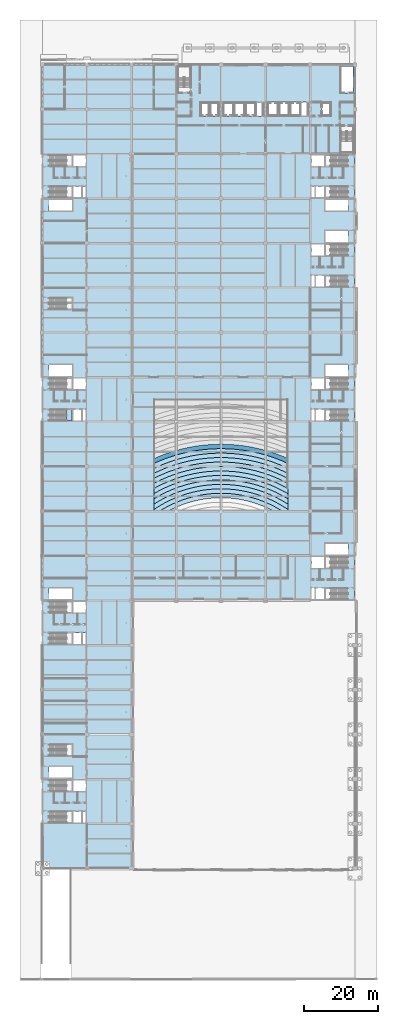
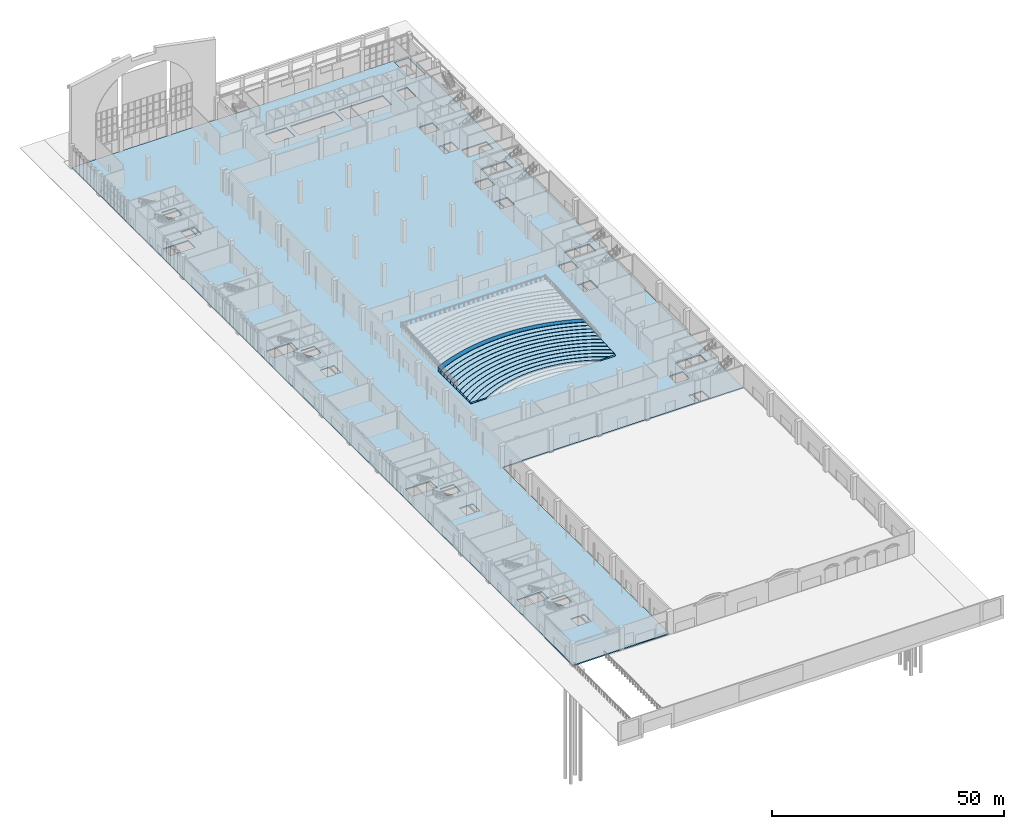
# One storey, part 26 of 59: 14 slabs, 1 element without a shape of its own.
"""IFC4 building model written with IfcOpenShell, lengths in metres."""

from ifc_helpers import new_model, si_unit, direction, frame, origin, place, context, subcontext, project, spatial, polyline, outline, extrude, material, layer, layer_set, type_object, element, aggregate, save


model = new_model("IFC4")

# Units and contexts
model_context = context("Model", 3, precision=1e-05, world=origin(), true_north=direction((0.0, 1.0)))
body_context = subcontext(model_context, "Body", "Model", "MODEL_VIEW")
ifc_project = project(units=[si_unit("LENGTHUNIT", "METRE"), si_unit("AREAUNIT", "SQUARE_METRE"), si_unit("VOLUMEUNIT", "CUBIC_METRE"), si_unit("PLANEANGLEUNIT", "RADIAN"), si_unit("MASSUNIT", "GRAM", prefix="KILO")], contexts=[model_context])

# Site, building, storey
site_placement = place(None, origin())
site = spatial("IfcSite", under=ifc_project, at=site_placement, CompositionType="ELEMENT")
building_placement = place(site_placement, origin())
building = spatial("IfcBuilding", under=site, at=building_placement, Name="Lilac Gate Convention Centre", CompositionType="ELEMENT")
storey_placement = place(building_placement, origin())
storey = spatial("IfcBuildingStorey", under=building, at=storey_placement, Name="L00", CompositionType="ELEMENT", Elevation=0.0)

# Slabs
ifc_material = material(Name="Concrete C40", Category="concrete")
ifc_layer_1 = layer(ifc_material, 0.300048828125)
ifc_layer_set_1 = layer_set([ifc_layer_1], Name="Concrete C40")
slab_type_1 = type_object("IfcSlabType", Name="Floor slab 300 C40", PredefinedType="FLOOR", material=ifc_layer_set_1)
slab_1_placement = place(storey_placement, frame((0.0, 0.0, -0.300048828125)))
element("IfcSlab", 1, at=slab_1_placement, inside=storey, type_object=slab_type_1, Name="FS1 slab L00 1", PredefinedType="FLOOR", context=body_context, shape_type="SweptSolid", body=[
    extrude(outline(polyline([(6.0, 246.0), (90.0, 246.0), (90.0, 102.0), (30.0, 102.0), (30.0, 30.0), (6.0, 30.0), (6.0, 246.0)]), holes=[polyline([(16.5, 42.300048828125), (16.5, 45.300048828125), (14.300048828125, 45.300048828125), (14.300048828125, 42.300048828125), (16.5, 42.300048828125)]), polyline([(17.699951171875, 42.300048828125), (17.699951171875, 45.300048828125), (16.800048828125, 45.300048828125), (16.800048828125, 42.300048828125), (17.699951171875, 42.300048828125)]), polyline([(17.699951171875, 50.699951171875), (17.699951171875, 53.699951171875), (14.300048828125, 53.699951171875), (14.300048828125, 50.699951171875), (17.699951171875, 50.699951171875)]), polyline([(7.820068359375, 54.300048828125), (14.0, 54.300048828125), (14.0, 57.300048828125), (7.820068359375, 57.300048828125), (7.820068359375, 54.300048828125)]), polyline([(14.300048828125, 90.300048828125), (16.5, 90.300048828125), (16.5, 93.300048828125), (14.300048828125, 93.300048828125), (14.300048828125, 90.300048828125)]), polyline([(17.699951171875, 98.699951171875), (17.699951171875, 101.699951171875), (14.300048828125, 101.699951171875), (14.300048828125, 98.699951171875), (17.699951171875, 98.699951171875)]), polyline([(7.820068359375, 102.300048828125), (14.0, 102.300048828125), (14.0, 105.300048828125), (7.820068359375, 105.300048828125), (7.820068359375, 102.300048828125)]), polyline([(14.300048828125, 150.300048828125), (16.5, 150.300048828125), (16.5, 153.300048828125), (14.300048828125, 153.300048828125), (14.300048828125, 150.300048828125)]), polyline([(17.699951171875, 150.300048828125), (17.699951171875, 153.300048828125), (16.800048828125, 153.300048828125), (16.800048828125, 150.300048828125), (17.699951171875, 150.300048828125)]), polyline([(14.300048828125, 158.699951171875), (17.699951171875, 158.699951171875), (17.699951171875, 161.699951171875), (14.300048828125, 161.699951171875), (14.300048828125, 158.699951171875)]), polyline([(7.820068359375, 162.300048828125), (14.0, 162.300048828125), (14.0, 165.300048828125), (7.820068359375, 165.300048828125), (7.820068359375, 162.300048828125)]), polyline([(14.0, 206.699951171875), (14.0, 209.699951171875), (7.820068359375, 209.699951171875), (7.820068359375, 206.699951171875), (14.0, 206.699951171875)]), polyline([(16.5, 210.300048828125), (16.5, 213.300048828125), (14.300048828125, 213.300048828125), (14.300048828125, 210.300048828125), (16.5, 210.300048828125)]), polyline([(17.699951171875, 210.300048828125), (17.699951171875, 213.300048828125), (16.800048828125, 213.300048828125), (16.800048828125, 210.300048828125), (17.699951171875, 210.300048828125)]), polyline([(14.300048828125, 218.699951171875), (17.699951171875, 218.699951171875), (17.699951171875, 221.699951171875), (14.300048828125, 221.699951171875), (14.300048828125, 218.699951171875)]), polyline([(16.800048828125, 90.300048828125), (17.699951171875, 90.300048828125), (17.699951171875, 93.300048828125), (16.800048828125, 93.300048828125), (16.800048828125, 90.300048828125)]), polyline([(79.199951171875, 102.300048828125), (79.199951171875, 105.300048828125), (78.300048828125, 105.300048828125), (78.300048828125, 102.300048828125), (79.199951171875, 102.300048828125)]), polyline([(78.300048828125, 150.300048828125), (79.199951171875, 150.300048828125), (79.199951171875, 153.300048828125), (78.300048828125, 153.300048828125), (78.300048828125, 150.300048828125)]), polyline([(78.300048828125, 186.300048828125), (79.199951171875, 186.300048828125), (79.199951171875, 189.300048828125), (78.300048828125, 189.300048828125), (78.300048828125, 186.300048828125)]), polyline([(79.199951171875, 210.300048828125), (79.199951171875, 213.300048828125), (78.300048828125, 213.300048828125), (78.300048828125, 210.300048828125), (79.199951171875, 210.300048828125)]), polyline([(53.5, 232.10009765625), (53.5, 235.89990234375), (50.949951171875, 235.89990234375), (48.39990234375, 235.89990234375), (48.39990234375, 232.10009765625), (50.949951171875, 232.10009765625), (53.5, 232.10009765625)]), polyline([(60.5, 235.89990234375), (57.5, 235.89990234375), (54.5, 235.89990234375), (54.5, 232.10009765625), (57.5, 232.10009765625), (60.5, 232.10009765625), (63.5, 232.10009765625), (65.5, 232.10009765625), (65.5, 235.89990234375), (63.5, 235.89990234375), (60.5, 235.89990234375)]), polyline([(66.5, 235.89990234375), (66.5, 232.10009765625), (69.5, 232.10009765625), (72.5, 232.10009765625), (75.5, 232.10009765625), (77.5, 232.10009765625), (77.5, 235.89990234375), (75.5, 235.89990234375), (72.5, 235.89990234375), (69.5, 235.89990234375), (66.5, 235.89990234375)]), polyline([(81.699951171875, 102.300048828125), (81.699951171875, 105.300048828125), (79.5, 105.300048828125), (79.5, 102.300048828125), (81.699951171875, 102.300048828125)]), polyline([(78.300048828125, 110.699951171875), (81.699951171875, 110.699951171875), (81.699951171875, 113.699951171875), (78.300048828125, 113.699951171875), (78.300048828125, 110.699951171875)]), polyline([(82.0, 114.300048828125), (88.179931640625, 114.300048828125), (88.179931640625, 117.300048828125), (82.0, 117.300048828125), (82.0, 114.300048828125)]), polyline([(81.699951171875, 150.300048828125), (81.699951171875, 153.300048828125), (79.5, 153.300048828125), (79.5, 150.300048828125), (81.699951171875, 150.300048828125)]), polyline([(81.699951171875, 158.699951171875), (81.699951171875, 161.699951171875), (78.300048828125, 161.699951171875), (78.300048828125, 158.699951171875), (81.699951171875, 158.699951171875)]), polyline([(88.179931640625, 162.300048828125), (88.179931640625, 165.300048828125), (82.0, 165.300048828125), (82.0, 162.300048828125), (88.179931640625, 162.300048828125)]), polyline([(79.5, 186.300048828125), (81.699951171875, 186.300048828125), (81.699951171875, 189.300048828125), (79.5, 189.300048828125), (79.5, 186.300048828125)]), polyline([(78.300048828125, 194.699951171875), (81.699951171875, 194.699951171875), (81.699951171875, 197.699951171875), (78.300048828125, 197.699951171875), (78.300048828125, 194.699951171875)]), polyline([(88.179931640625, 198.300048828125), (88.179931640625, 201.300048828125), (82.0, 201.300048828125), (82.0, 198.300048828125), (88.179931640625, 198.300048828125)]), polyline([(82.0, 206.699951171875), (88.179931640625, 206.699951171875), (88.179931640625, 209.699951171875), (82.0, 209.699951171875), (82.0, 206.699951171875)]), polyline([(79.5, 210.300048828125), (81.699951171875, 210.300048828125), (81.699951171875, 213.300048828125), (79.5, 213.300048828125), (79.5, 210.300048828125)]), polyline([(81.699951171875, 218.699951171875), (81.699951171875, 221.699951171875), (78.300048828125, 221.699951171875), (78.300048828125, 218.699951171875), (81.699951171875, 218.699951171875)]), polyline([(81.0, 232.10009765625), (83.60009765625, 232.10009765625), (83.60009765625, 235.89990234375), (81.0, 235.89990234375), (81.0, 232.10009765625)]), polyline([(86.0, 238.300048828125), (89.5, 238.300048828125), (89.5, 245.5), (86.0, 245.5), (86.0, 238.300048828125)])]), origin(), (0.0, 0.0, 1.0), 0.300048828125),
])
ifc_layer_2 = layer(ifc_material, 0.300048828125)
ifc_layer_set_2 = layer_set([ifc_layer_2], Name="Concrete C40")
slab_type_2 = type_object("IfcSlabType", Name="Seating tier 300 C40", PredefinedType="USERDEFINED", material=ifc_layer_set_2)
slab_2_placement = place(storey_placement, origin())
element("IfcSlab", 2, at=slab_2_placement, inside=storey, type_object=slab_type_2, Name="TS1 Stand Stalls row 4", ObjectType="SEATING TIER", PredefinedType="USERDEFINED", context=body_context, shape_type="SweptSolid", body=[
    extrude(outline(polyline([(38.166015625, 126.41796875), (39.48095703125, 127.1630859375), (40.8310546875, 127.843017578125), (42.212890625, 128.455078125), (43.6240234375, 129.0), (45.05908203125, 129.47412109375), (46.51611328125, 129.876953125), (47.990966796875, 130.2080078125), (49.48095703125, 130.467041015625), (50.98095703125, 130.652099609375), (52.489013671875, 130.762939453125), (54.0, 130.800048828125), (55.510986328125, 130.762939453125), (57.01904296875, 130.652099609375), (58.51904296875, 130.467041015625), (60.009033203125, 130.2080078125), (61.48388671875, 129.876953125), (62.94091796875, 129.47412109375), (64.3759765625, 129.0), (65.787109375, 128.455078125), (67.1689453125, 127.843017578125), (68.51904296875, 127.1630859375), (69.833984375, 126.41796875), (70.4951171875, 126.0), (68.137939453125, 126.0), (67.952880859375, 126.10498046875), (66.656005859375, 126.758056640625), (65.326904296875, 127.346923828125), (63.971923828125, 127.8701171875), (62.592041015625, 128.324951171875), (61.19189453125, 128.712890625), (59.77490234375, 129.031005859375), (58.343017578125, 129.280029296875), (56.90087890625, 129.45703125), (55.451904296875, 129.56396484375), (54.0, 129.60009765625), (52.548095703125, 129.56396484375), (51.09912109375, 129.45703125), (49.656982421875, 129.280029296875), (48.22509765625, 129.031005859375), (46.80810546875, 128.712890625), (45.407958984375, 128.324951171875), (44.028076171875, 127.8701171875), (42.673095703125, 127.346923828125), (41.343994140625, 126.758056640625), (40.047119140625, 126.10498046875), (39.862060546875, 126.0), (37.5048828125, 126.0), (38.166015625, 126.41796875)])), origin(), (0.0, 0.0, 1.0), 0.320068359375),
])
slab_3_placement = place(storey_placement, origin())
element("IfcSlab", 3, at=slab_3_placement, inside=storey, type_object=slab_type_2, Name="TS1 Stand Stalls row 5", ObjectType="SEATING TIER", PredefinedType="USERDEFINED", context=body_context, shape_type="SweptSolid", body=[
    extrude(outline(polyline([(36.221923828125, 126.60693359375), (37.549072265625, 127.447021484375), (38.9150390625, 128.220947265625), (40.318115234375, 128.927978515625), (41.75390625, 129.56396484375), (43.219970703125, 130.12890625), (44.7109375, 130.6220703125), (46.22509765625, 131.041015625), (47.757080078125, 131.385009765625), (49.304931640625, 131.654052734375), (50.863037109375, 131.845947265625), (52.429931640625, 131.9609375), (54.0, 132.0), (55.570068359375, 131.9609375), (57.136962890625, 131.845947265625), (58.695068359375, 131.654052734375), (60.242919921875, 131.385009765625), (61.77490234375, 131.041015625), (63.2890625, 130.6220703125), (64.780029296875, 130.12890625), (66.24609375, 129.56396484375), (67.681884765625, 128.927978515625), (69.0849609375, 128.220947265625), (70.450927734375, 127.447021484375), (71.778076171875, 126.60693359375), (72.0, 126.450927734375), (72.0, 126.0), (70.4951171875, 126.0), (69.833984375, 126.41796875), (68.51904296875, 127.1630859375), (67.1689453125, 127.843017578125), (65.787109375, 128.455078125), (64.3759765625, 129.0), (62.94091796875, 129.47412109375), (61.48388671875, 129.876953125), (60.009033203125, 130.2080078125), (58.51904296875, 130.467041015625), (57.01904296875, 130.652099609375), (55.510986328125, 130.762939453125), (54.0, 130.800048828125), (52.489013671875, 130.762939453125), (50.98095703125, 130.652099609375), (49.48095703125, 130.467041015625), (47.990966796875, 130.2080078125), (46.51611328125, 129.876953125), (45.05908203125, 129.47412109375), (43.6240234375, 129.0), (42.212890625, 128.455078125), (40.8310546875, 127.843017578125), (39.48095703125, 127.1630859375), (38.166015625, 126.41796875), (37.5048828125, 126.0), (36.0, 126.0), (36.0, 126.450927734375), (36.221923828125, 126.60693359375)])), origin(), (0.0, 0.0, 1.0), 0.39990234375),
])
slab_4_placement = place(storey_placement, origin())
element("IfcSlab", 4, at=slab_4_placement, inside=storey, type_object=slab_type_2, Name="TS1 Stand Stalls row 6", ObjectType="SEATING TIER", PredefinedType="USERDEFINED", context=body_context, shape_type="SweptSolid", body=[
    extrude(outline(polyline([(36.931884765625, 128.47705078125), (38.35009765625, 129.280029296875), (39.804931640625, 130.011962890625), (41.294921875, 130.673095703125), (42.81494140625, 131.259033203125), (44.363037109375, 131.77001953125), (45.93310546875, 132.205078125), (47.52294921875, 132.56201171875), (49.12890625, 132.841064453125), (50.74609375, 133.0400390625), (52.37109375, 133.159912109375), (54.0, 133.199951171875), (55.62890625, 133.159912109375), (57.25390625, 133.0400390625), (58.87109375, 132.841064453125), (60.47705078125, 132.56201171875), (62.06689453125, 132.205078125), (63.636962890625, 131.77001953125), (65.18505859375, 131.259033203125), (66.705078125, 130.673095703125), (68.195068359375, 130.011962890625), (69.64990234375, 129.280029296875), (71.068115234375, 128.47705078125), (72.0, 127.886962890625), (72.0, 126.450927734375), (71.778076171875, 126.60693359375), (70.450927734375, 127.447021484375), (69.0849609375, 128.220947265625), (67.681884765625, 128.927978515625), (66.24609375, 129.56396484375), (64.780029296875, 130.12890625), (63.2890625, 130.6220703125), (61.77490234375, 131.041015625), (60.242919921875, 131.385009765625), (58.695068359375, 131.654052734375), (57.136962890625, 131.845947265625), (55.570068359375, 131.9609375), (54.0, 132.0), (52.429931640625, 131.9609375), (50.863037109375, 131.845947265625), (49.304931640625, 131.654052734375), (47.757080078125, 131.385009765625), (46.22509765625, 131.041015625), (44.7109375, 130.6220703125), (43.219970703125, 130.12890625), (41.75390625, 129.56396484375), (40.318115234375, 128.927978515625), (38.9150390625, 128.220947265625), (37.549072265625, 127.447021484375), (36.221923828125, 126.60693359375), (36.0, 126.450927734375), (36.0, 127.886962890625), (36.931884765625, 128.47705078125)])), origin(), (0.0, 0.0, 1.0), 0.47998046875),
])
slab_5_placement = place(storey_placement, origin())
element("IfcSlab", 5, at=slab_5_placement, inside=storey, type_object=slab_type_2, Name="TS1 Stand Stalls row 7", ObjectType="SEATING TIER", PredefinedType="USERDEFINED", context=body_context, shape_type="SweptSolid", body=[
    extrude(outline(polyline([(36.31494140625, 129.506103515625), (37.783935546875, 130.337890625), (39.2919921875, 131.096923828125), (40.8359375, 131.781005859375), (42.410888671875, 132.388916015625), (44.013916015625, 132.9189453125), (45.64111328125, 133.368896484375), (47.2890625, 133.739013671875), (48.951904296875, 134.028076171875), (50.6279296875, 134.23388671875), (52.31201171875, 134.35888671875), (54.0, 134.39990234375), (55.68798828125, 134.35888671875), (57.3720703125, 134.23388671875), (59.048095703125, 134.028076171875), (60.7109375, 133.739013671875), (62.35888671875, 133.368896484375), (63.986083984375, 132.9189453125), (65.589111328125, 132.388916015625), (67.1640625, 131.781005859375), (68.7080078125, 131.096923828125), (70.216064453125, 130.337890625), (71.68505859375, 129.506103515625), (72.0, 129.305908203125), (72.0, 127.886962890625), (71.068115234375, 128.47705078125), (69.64990234375, 129.280029296875), (68.195068359375, 130.011962890625), (66.705078125, 130.673095703125), (65.18505859375, 131.259033203125), (63.636962890625, 131.77001953125), (62.06689453125, 132.205078125), (60.47705078125, 132.56201171875), (58.87109375, 132.841064453125), (57.25390625, 133.0400390625), (55.62890625, 133.159912109375), (54.0, 133.199951171875), (52.37109375, 133.159912109375), (50.74609375, 133.0400390625), (49.12890625, 132.841064453125), (47.52294921875, 132.56201171875), (45.93310546875, 132.205078125), (44.363037109375, 131.77001953125), (42.81494140625, 131.259033203125), (41.294921875, 130.673095703125), (39.804931640625, 130.011962890625), (38.35009765625, 129.280029296875), (36.931884765625, 128.47705078125), (36.0, 127.886962890625), (36.0, 129.305908203125), (36.31494140625, 129.506103515625)])), origin(), (0.0, 0.0, 1.0), 0.56005859375),
])
slab_6_placement = place(storey_placement, origin())
element("IfcSlab", 6, at=slab_6_placement, inside=storey, type_object=slab_type_2, Name="TS1 Stand Stalls row 8", ObjectType="SEATING TIER", PredefinedType="USERDEFINED", context=body_context, shape_type="SweptSolid", body=[
    extrude(outline(polyline([(37.218017578125, 131.39599609375), (38.779052734375, 132.181884765625), (40.3759765625, 132.889892578125), (42.007080078125, 133.51904296875), (43.666015625, 134.06689453125), (45.35009765625, 134.532958984375), (47.054931640625, 134.916015625), (48.77587890625, 135.215087890625), (50.510986328125, 135.428955078125), (52.2529296875, 135.556884765625), (54.0, 135.60009765625), (55.7470703125, 135.556884765625), (57.489013671875, 135.428955078125), (59.22412109375, 135.215087890625), (60.945068359375, 134.916015625), (62.64990234375, 134.532958984375), (64.333984375, 134.06689453125), (65.992919921875, 133.51904296875), (67.6240234375, 132.889892578125), (69.220947265625, 132.181884765625), (70.781982421875, 131.39599609375), (72.0, 130.7060546875), (72.0, 129.305908203125), (71.68505859375, 129.506103515625), (70.216064453125, 130.337890625), (68.7080078125, 131.096923828125), (67.1640625, 131.781005859375), (65.589111328125, 132.388916015625), (63.986083984375, 132.9189453125), (62.35888671875, 133.368896484375), (60.7109375, 133.739013671875), (59.048095703125, 134.028076171875), (57.3720703125, 134.23388671875), (55.68798828125, 134.35888671875), (54.0, 134.39990234375), (52.31201171875, 134.35888671875), (50.6279296875, 134.23388671875), (48.951904296875, 134.028076171875), (47.2890625, 133.739013671875), (45.64111328125, 133.368896484375), (44.013916015625, 132.9189453125), (42.410888671875, 132.388916015625), (40.8359375, 131.781005859375), (39.2919921875, 131.096923828125), (37.783935546875, 130.337890625), (36.31494140625, 129.506103515625), (36.0, 129.305908203125), (36.0, 130.7060546875), (37.218017578125, 131.39599609375)])), origin(), (0.0, 0.0, 1.0), 0.639892578125),
])
slab_7_placement = place(storey_placement, origin())
element("IfcSlab", 7, at=slab_7_placement, inside=storey, type_object=slab_type_2, Name="TS1 Stand Stalls row 9", ObjectType="SEATING TIER", PredefinedType="USERDEFINED", context=body_context, shape_type="SweptSolid", body=[
    extrude(outline(polyline([(36.653076171875, 132.455078125), (38.26611328125, 133.26708984375), (39.9169921875, 133.9990234375), (41.60205078125, 134.64892578125), (43.318115234375, 135.215087890625), (45.05810546875, 135.697021484375), (46.821044921875, 136.093017578125), (48.60009765625, 136.402099609375), (50.39306640625, 136.623046875), (52.194091796875, 136.756103515625), (54.0, 136.800048828125), (55.805908203125, 136.756103515625), (57.60693359375, 136.623046875), (59.39990234375, 136.402099609375), (61.178955078125, 136.093017578125), (62.94189453125, 135.697021484375), (64.681884765625, 135.215087890625), (66.39794921875, 134.64892578125), (68.0830078125, 133.9990234375), (69.73388671875, 133.26708984375), (71.346923828125, 132.455078125), (72.0, 132.0849609375), (72.0, 130.7060546875), (70.781982421875, 131.39599609375), (69.220947265625, 132.181884765625), (67.6240234375, 132.889892578125), (65.992919921875, 133.51904296875), (64.333984375, 134.06689453125), (62.64990234375, 134.532958984375), (60.945068359375, 134.916015625), (59.22412109375, 135.215087890625), (57.489013671875, 135.428955078125), (55.7470703125, 135.556884765625), (54.0, 135.60009765625), (52.2529296875, 135.556884765625), (50.510986328125, 135.428955078125), (48.77587890625, 135.215087890625), (47.054931640625, 134.916015625), (45.35009765625, 134.532958984375), (43.666015625, 134.06689453125), (42.007080078125, 133.51904296875), (40.3759765625, 132.889892578125), (38.779052734375, 132.181884765625), (37.218017578125, 131.39599609375), (36.0, 130.7060546875), (36.0, 132.0849609375), (36.653076171875, 132.455078125)])), origin(), (0.0, 0.0, 1.0), 0.719970703125),
])
slab_8_placement = place(storey_placement, origin())
element("IfcSlab", 8, at=slab_8_placement, inside=storey, type_object=slab_type_2, Name="TS1 Stand Stalls row 10", ObjectType="SEATING TIER", PredefinedType="USERDEFINED", context=body_context, shape_type="SweptSolid", body=[
    extrude(outline(polyline([(36.0869140625, 133.512939453125), (37.7529296875, 134.35205078125), (39.4580078125, 135.10693359375), (41.197998046875, 135.779052734375), (42.968994140625, 136.364013671875), (44.76708984375, 136.861083984375), (46.5869140625, 137.27001953125), (48.424072265625, 137.589111328125), (50.27490234375, 137.81689453125), (52.135009765625, 137.9541015625), (54.0, 138.0), (55.864990234375, 137.9541015625), (57.72509765625, 137.81689453125), (59.575927734375, 137.589111328125), (61.4130859375, 137.27001953125), (63.23291015625, 136.861083984375), (65.031005859375, 136.364013671875), (66.802001953125, 135.779052734375), (68.5419921875, 135.10693359375), (70.2470703125, 134.35205078125), (71.9130859375, 133.512939453125), (72.0, 133.464111328125), (72.0, 132.0849609375), (71.346923828125, 132.455078125), (69.73388671875, 133.26708984375), (68.0830078125, 133.9990234375), (66.39794921875, 134.64892578125), (64.681884765625, 135.215087890625), (62.94189453125, 135.697021484375), (61.178955078125, 136.093017578125), (59.39990234375, 136.402099609375), (57.60693359375, 136.623046875), (55.805908203125, 136.756103515625), (54.0, 136.800048828125), (52.194091796875, 136.756103515625), (50.39306640625, 136.623046875), (48.60009765625, 136.402099609375), (46.821044921875, 136.093017578125), (45.05810546875, 135.697021484375), (43.318115234375, 135.215087890625), (41.60205078125, 134.64892578125), (39.9169921875, 133.9990234375), (38.26611328125, 133.26708984375), (36.653076171875, 132.455078125), (36.0, 132.0849609375), (36.0, 133.464111328125), (36.0869140625, 133.512939453125)])), origin(), (0.0, 0.0, 1.0), 0.800048828125),
])
slab_9_placement = place(storey_placement, origin())
element("IfcSlab", 9, at=slab_9_placement, inside=storey, type_object=slab_type_2, Name="TS1 Stand Stalls row 11", ObjectType="SEATING TIER", PredefinedType="USERDEFINED", context=body_context, shape_type="SweptSolid", body=[
    extrude(outline(polyline([(37.239990234375, 135.43603515625), (38.9990234375, 136.216064453125), (40.7939453125, 136.908935546875), (42.62109375, 137.511962890625), (44.47509765625, 138.02490234375), (46.35205078125, 138.447021484375), (48.248046875, 138.77587890625), (50.157958984375, 139.010986328125), (52.076904296875, 139.153076171875), (54.0, 139.199951171875), (55.923095703125, 139.153076171875), (57.842041015625, 139.010986328125), (59.751953125, 138.77587890625), (61.64794921875, 138.447021484375), (63.52490234375, 138.02490234375), (65.37890625, 137.511962890625), (67.2060546875, 136.908935546875), (69.0009765625, 136.216064453125), (70.760009765625, 135.43603515625), (72.0, 134.81201171875), (72.0, 133.464111328125), (71.9130859375, 133.512939453125), (70.2470703125, 134.35205078125), (68.5419921875, 135.10693359375), (66.802001953125, 135.779052734375), (65.031005859375, 136.364013671875), (63.23291015625, 136.861083984375), (61.4130859375, 137.27001953125), (59.575927734375, 137.589111328125), (57.72509765625, 137.81689453125), (55.864990234375, 137.9541015625), (54.0, 138.0), (52.135009765625, 137.9541015625), (50.27490234375, 137.81689453125), (48.424072265625, 137.589111328125), (46.5869140625, 137.27001953125), (44.76708984375, 136.861083984375), (42.968994140625, 136.364013671875), (41.197998046875, 135.779052734375), (39.4580078125, 135.10693359375), (37.7529296875, 134.35205078125), (36.0869140625, 133.512939453125), (36.0, 133.464111328125), (36.0, 134.81201171875), (37.239990234375, 135.43603515625)])), origin(), (0.0, 0.0, 1.0), 0.8798828125),
])
slab_10_placement = place(storey_placement, origin())
element("IfcSlab", 10, at=slab_10_placement, inside=storey, type_object=slab_type_2, Name="TS1 Stand Stalls row 12", ObjectType="SEATING TIER", PredefinedType="USERDEFINED", context=body_context, shape_type="SweptSolid", body=[
    extrude(outline(polyline([(36.72705078125, 136.52099609375), (38.5400390625, 137.324951171875), (40.389892578125, 138.0380859375), (42.27197265625, 138.659912109375), (44.18408203125, 139.18896484375), (46.117919921875, 139.6240234375), (48.072021484375, 139.962890625), (50.0400390625, 140.205078125), (52.01806640625, 140.35107421875), (54.0, 140.39990234375), (55.98193359375, 140.35107421875), (57.9599609375, 140.205078125), (59.927978515625, 139.962890625), (61.882080078125, 139.6240234375), (63.81591796875, 139.18896484375), (65.72802734375, 138.659912109375), (67.610107421875, 138.0380859375), (69.4599609375, 137.324951171875), (71.27294921875, 136.52099609375), (72.0, 136.155029296875), (72.0, 134.81201171875), (70.760009765625, 135.43603515625), (69.0009765625, 136.216064453125), (67.2060546875, 136.908935546875), (65.37890625, 137.511962890625), (63.52490234375, 138.02490234375), (61.64794921875, 138.447021484375), (59.751953125, 138.77587890625), (57.842041015625, 139.010986328125), (55.923095703125, 139.153076171875), (54.0, 139.199951171875), (52.076904296875, 139.153076171875), (50.157958984375, 139.010986328125), (48.248046875, 138.77587890625), (46.35205078125, 138.447021484375), (44.47509765625, 138.02490234375), (42.62109375, 137.511962890625), (40.7939453125, 136.908935546875), (38.9990234375, 136.216064453125), (37.239990234375, 135.43603515625), (36.0, 134.81201171875), (36.0, 136.155029296875), (36.72705078125, 136.52099609375)])), origin(), (0.0, 0.0, 1.0), 0.9599609375),
])
slab_11_placement = place(storey_placement, origin())
element("IfcSlab", 11, at=slab_11_placement, inside=storey, type_object=slab_type_2, Name="TS1 Stand Stalls row 13", ObjectType="SEATING TIER", PredefinedType="USERDEFINED", context=body_context, shape_type="SweptSolid", body=[
    extrude(outline(polyline([(36.214111328125, 137.60595703125), (38.080078125, 138.43310546875), (39.985107421875, 139.16796875), (41.924072265625, 139.80908203125), (43.89208984375, 140.35302734375), (45.884033203125, 140.801025390625), (47.89599609375, 141.14990234375), (49.922119140625, 141.39990234375), (51.958984375, 141.550048828125), (54.0, 141.60009765625), (56.041015625, 141.550048828125), (58.077880859375, 141.39990234375), (60.10400390625, 141.14990234375), (62.115966796875, 140.801025390625), (64.10791015625, 140.35302734375), (66.075927734375, 139.80908203125), (68.014892578125, 139.16796875), (69.919921875, 138.43310546875), (71.785888671875, 137.60595703125), (72.0, 137.498046875), (72.0, 136.155029296875), (71.27294921875, 136.52099609375), (69.4599609375, 137.324951171875), (67.610107421875, 138.0380859375), (65.72802734375, 138.659912109375), (63.81591796875, 139.18896484375), (61.882080078125, 139.6240234375), (59.927978515625, 139.962890625), (57.9599609375, 140.205078125), (55.98193359375, 140.35107421875), (54.0, 140.39990234375), (52.01806640625, 140.35107421875), (50.0400390625, 140.205078125), (48.072021484375, 139.962890625), (46.117919921875, 139.6240234375), (44.18408203125, 139.18896484375), (42.27197265625, 138.659912109375), (40.389892578125, 138.0380859375), (38.5400390625, 137.324951171875), (36.72705078125, 136.52099609375), (36.0, 136.155029296875), (36.0, 137.498046875), (36.214111328125, 137.60595703125)])), origin(), (0.0, 0.0, 1.0), 1.0400390625),
])
slab_12_placement = place(storey_placement, origin())
element("IfcSlab", 12, at=slab_12_placement, inside=storey, type_object=slab_type_2, Name="TS1 Stand Stalls row 14", ObjectType="SEATING TIER", PredefinedType="USERDEFINED", context=body_context, shape_type="SweptSolid", body=[
    extrude(outline(polyline([(37.62109375, 139.5419921875), (39.5810546875, 140.298095703125), (41.575927734375, 140.95703125), (43.60009765625, 141.51708984375), (45.64990234375, 141.97802734375), (47.719970703125, 142.3369140625), (49.804931640625, 142.593994140625), (51.89990234375, 142.748046875), (54.0, 142.800048828125), (56.10009765625, 142.748046875), (58.195068359375, 142.593994140625), (60.280029296875, 142.3369140625), (62.35009765625, 141.97802734375), (64.39990234375, 141.51708984375), (66.424072265625, 140.95703125), (68.4189453125, 140.298095703125), (70.37890625, 139.5419921875), (72.0, 138.822998046875), (72.0, 137.498046875), (71.785888671875, 137.60595703125), (69.919921875, 138.43310546875), (68.014892578125, 139.16796875), (66.075927734375, 139.80908203125), (64.10791015625, 140.35302734375), (62.115966796875, 140.801025390625), (60.10400390625, 141.14990234375), (58.077880859375, 141.39990234375), (56.041015625, 141.550048828125), (54.0, 141.60009765625), (51.958984375, 141.550048828125), (49.922119140625, 141.39990234375), (47.89599609375, 141.14990234375), (45.884033203125, 140.801025390625), (43.89208984375, 140.35302734375), (41.924072265625, 139.80908203125), (39.985107421875, 139.16796875), (38.080078125, 138.43310546875), (36.214111328125, 137.60595703125), (36.0, 137.498046875), (36.0, 138.822998046875), (37.62109375, 139.5419921875)])), origin(), (0.0, 0.0, 1.0), 1.1201171875),
])
slab_13_placement = place(storey_placement, origin())
element("IfcSlab", 13, at=slab_13_placement, inside=storey, type_object=slab_type_2, Name="TS1 Stand Stalls row 15", ObjectType="SEATING TIER", PredefinedType="USERDEFINED", context=body_context, shape_type="SweptSolid", body=[
    extrude(outline(polyline([(37.162109375, 140.65087890625), (39.177001953125, 141.427978515625), (41.22705078125, 142.10498046875), (43.30908203125, 142.680908203125), (45.416015625, 143.155029296875), (47.5439453125, 143.52392578125), (49.68701171875, 143.7880859375), (51.841064453125, 143.947021484375), (54.0, 144.0), (56.158935546875, 143.947021484375), (58.31298828125, 143.7880859375), (60.4560546875, 143.52392578125), (62.583984375, 143.155029296875), (64.69091796875, 142.680908203125), (66.77294921875, 142.10498046875), (68.822998046875, 141.427978515625), (70.837890625, 140.65087890625), (72.0, 140.135986328125), (72.0, 138.822998046875), (70.37890625, 139.5419921875), (68.4189453125, 140.298095703125), (66.424072265625, 140.95703125), (64.39990234375, 141.51708984375), (62.35009765625, 141.97802734375), (60.280029296875, 142.3369140625), (58.195068359375, 142.593994140625), (56.10009765625, 142.748046875), (54.0, 142.800048828125), (51.89990234375, 142.748046875), (49.804931640625, 142.593994140625), (47.719970703125, 142.3369140625), (45.64990234375, 141.97802734375), (43.60009765625, 141.51708984375), (41.575927734375, 140.95703125), (39.5810546875, 140.298095703125), (37.62109375, 139.5419921875), (36.0, 138.822998046875), (36.0, 140.135986328125), (37.162109375, 140.65087890625)])), origin(), (0.0, 0.0, 1.0), 1.199951171875),
])

# Stair, slab
stair_type = type_object("IfcStairType", Name="Exit stair two flights", PredefinedType="HALF_TURN_STAIR", material=ifc_material)
stair_placement = place(storey_placement, origin())
stair = element("IfcStair", 14, at=stair_placement, inside=storey, type_object=stair_type, Name="Exit stair W3A L00 to L01", PredefinedType="HALF_TURN_STAIR")
ifc_layer_3 = layer(ifc_material, 0.199951171875)
ifc_layer_set_3 = layer_set([ifc_layer_3], Name="Concrete C40")
slab_type_3 = type_object("IfcSlabType", Name="Stair landing 200 precast", PredefinedType="LANDING", material=ifc_layer_set_3)
slab_14_placement = place(storey_placement, frame((0.0, 0.0, 2.800048828125)))
slab_14 = element("IfcSlab", 15, at=slab_14_placement, type_object=slab_type_3, Name="ST13 landing 1", PredefinedType="LANDING", context=body_context, shape_type="SweptSolid", body=[
    extrude(outline(polyline([(12.56005859375, 150.300048828125), (14.0, 150.300048828125), (14.0, 153.300048828125), (12.56005859375, 153.300048828125), (12.56005859375, 150.300048828125)])), origin(), (0.0, 0.0, 1.0), 0.199951171875),
])
aggregate(stair, [slab_14])

save(model, "model.ifc")
